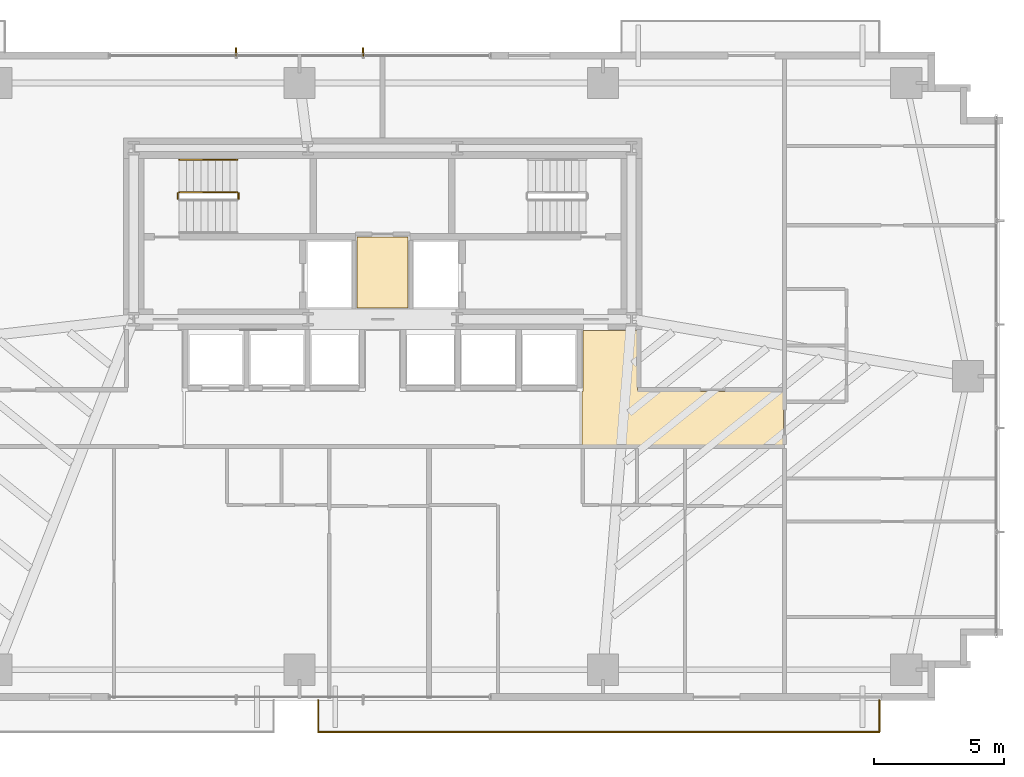
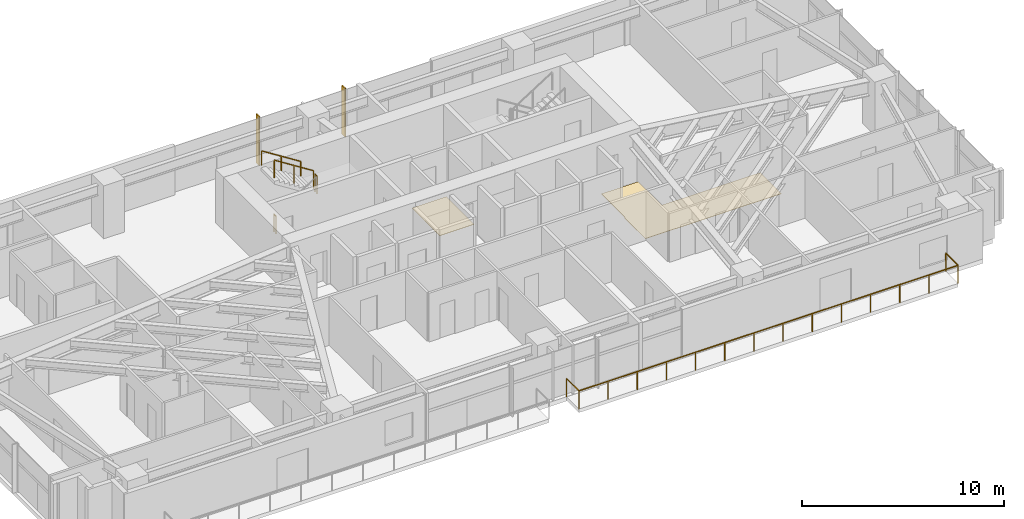
# One storey, part 24 of 25: 5 railings, 2 coverings, 2 shading devices.
"""IFC4 building model written with IfcOpenShell, lengths in metres."""

from ifc_helpers import new_model, si_unit, direction, frame, origin, origin_2d, place, context, subcontext, project, spatial, polyline, rectangle, outline, extrude, source, transform, mapped, material, layer, layer_set, type_object, type_shapes, element, save


model = new_model("IFC4")

# Units and contexts
model_context = context("Model", 3, precision=1e-05, world=origin(), true_north=direction((0.0, 1.0)))
body_context = subcontext(model_context, "Body", "Model", "MODEL_VIEW")
ifc_project = project(units=[si_unit("LENGTHUNIT", "METRE"), si_unit("AREAUNIT", "SQUARE_METRE"), si_unit("VOLUMEUNIT", "CUBIC_METRE"), si_unit("PLANEANGLEUNIT", "RADIAN"), si_unit("MASSUNIT", "GRAM", prefix="KILO")], contexts=[model_context])

# Site, building, storey
site_placement = place(None, origin())
site = spatial("IfcSite", under=ifc_project, at=site_placement, CompositionType="ELEMENT")
building_placement = place(site_placement, origin())
building = spatial("IfcBuilding", under=site, at=building_placement, Name="Astriad Promenade Condominiums", CompositionType="ELEMENT")
storey_placement = place(building_placement, frame((0.0, 0.0, 39.0)))
storey = spatial("IfcBuildingStorey", under=building, at=storey_placement, Name="L10", CompositionType="ELEMENT", Elevation=39.0)

# Coverings
ifc_material_1 = material(Name="Polished Lakefront Terrazzo Flooring")
ifc_layer = layer(ifc_material_1, 0.02001953125)
ifc_layer_set = layer_set([ifc_layer], Name="Polished Lakefront Terrazzo Flooring")
covering_type = type_object("IfcCoveringType", Name="COV-FLOR-TERRAZZO-20", PredefinedType="FLOORING", material=ifc_layer_set)
covering_1_placement = place(storey_placement, origin())
element("IfcCovering", 1, at=covering_1_placement, inside=storey, type_object=covering_type, Name="FLR-L10-CSL", PredefinedType="FLOORING", context=body_context, shape_type="SweptSolid", body=[
    extrude(outline(polyline([(36.97998046875, 17.840087890625), (35.02001953125, 17.840087890625), (35.02001953125, 20.580078125), (36.97998046875, 20.580078125), (36.97998046875, 17.840087890625)])), origin(), (0.0, 0.0, 1.0), 0.02001953125),
])
covering_2_placement = place(storey_placement, origin())
element("IfcCovering", 2, at=covering_2_placement, inside=storey, type_object=covering_type, Name="FLR-L10-COR-1", PredefinedType="FLOORING", context=body_context, shape_type="SweptSolid", body=[
    extrude(outline(polyline([(43.699951171875, 12.530029296875), (43.699951171875, 14.610107421875), (43.703857421875, 14.610107421875), (43.707763671875, 14.61083984375), (43.711669921875, 14.61181640625), (43.71533203125, 14.613037109375), (43.718994140625, 14.61474609375), (43.72216796875, 14.61669921875), (43.725341796875, 14.619140625), (43.728271484375, 14.62158203125), (43.73095703125, 14.62451171875), (43.7333984375, 14.627685546875), (43.7353515625, 14.631103515625), (43.737060546875, 14.634765625), (43.73828125, 14.638427734375), (43.7392578125, 14.64208984375), (43.73974609375, 14.64599609375), (43.739990234375, 14.64990234375), (43.739990234375, 16.9599609375), (45.840087890625, 16.9599609375), (45.840087890625, 14.659912109375), (45.840087890625, 14.656005859375), (45.8408203125, 14.652099609375), (45.841796875, 14.6484375), (45.843017578125, 14.644775390625), (45.8447265625, 14.64111328125), (45.8466796875, 14.6376953125), (45.84912109375, 14.634521484375), (45.851806640625, 14.631591796875), (45.8544921875, 14.629150390625), (45.85791015625, 14.626708984375), (45.861083984375, 14.624755859375), (45.86474609375, 14.623046875), (45.868408203125, 14.62158203125), (45.872314453125, 14.620849609375), (45.876220703125, 14.6201171875), (45.8798828125, 14.6201171875), (51.4599609375, 14.6201171875), (51.4599609375, 12.530029296875), (43.699951171875, 12.530029296875)])), origin(), (0.0, 0.0, 1.0), 0.02001953125),
])

# Shading devices
ifc_material_2 = material(Name="Anodised aluminium 6063-T6 Black Fin", Category="aluminium")
shading_device_type = type_object("IfcShadingDeviceType", Name="FIN-BLACK-320", PredefinedType="USERDEFINED", material=ifc_material_2)
shared_shape_1 = source(origin(), body_context, "Body", "SweptSolid", [
    extrude(rectangle(XDim=0.06494140625, YDim=0.320068359375, at=origin_2d()), origin(), (0.0, 0.0, 1.0), 2.93994140625),
])
type_shapes(shading_device_type, [shared_shape_1])
for number, where, z_axis, x_axis, name in (
    (3, (30.35009765625, 27.7099609375, 0.0), (0.0, 0.0, 1.0), (1.0, 0.0, 0.0), "CW-L10-N-FIN-01"),
    (4, (35.25, 27.7099609375, 0.0), (0.0, 0.0, 1.0), (1.0, 0.0, 0.0), "CW-L10-N-FIN-02"),
):
    element("IfcShadingDevice", number, at=place(storey_placement, frame(where, z_axis=z_axis, x_axis=x_axis)), inside=storey, type_object=shading_device_type, Name=name, ObjectType="FIN", PredefinedType="USERDEFINED", context=body_context, shape_type="MappedRepresentation", body=[
        mapped(shared_shape_1, transform((0.0, 0.0, 0.0), scale=1.0)),
    ])

# Railings
ifc_material_3 = material(Name="Laminated Glass and Stainless Steel Balustrade", Category="steel")
railing_type_1 = type_object("IfcRailingType", Name="GRD-BALC-1120", PredefinedType="BALUSTRADE", material=ifc_material_3)
shared_shape_2 = source(origin(), body_context, "Body", "SweptSolid", [
    extrude(rectangle(XDim=0.048095703125, YDim=0.048095703125, at=origin_2d()), frame((0.0, 0.0, 1.09619140625), z_axis=(0.0, -1.0, 0.0), x_axis=(1.0, 0.0, 0.0)), (0.0, 0.0, 1.0), 1.219970703125),
    extrude(rectangle(XDim=0.048095703125, YDim=0.048095703125, at=origin_2d()), frame((0.0, -1.219970703125, 1.09619140625), z_axis=(1.0, 0.0, 0.0), x_axis=(0.0, 1.0, 0.0)), (0.0, 0.0, 1.0), 21.64208984375),
    extrude(rectangle(XDim=0.048095703125, YDim=0.048095703125, at=origin_2d()), frame((21.64208984375, -1.219970703125, 1.09619140625), z_axis=(0.0, 1.0, 0.0), x_axis=(-1.0, 0.0, 0.0)), (0.0, 0.0, 1.0), 1.219970703125),
    extrude(rectangle(XDim=0.0419921875, YDim=0.0419921875, at=origin_2d()), origin(), (0.0, 0.0, 1.0), 1.072021484375),
    extrude(rectangle(XDim=0.0419921875, YDim=0.0419921875, at=origin_2d()), frame((0.0, -1.219970703125, 0.0)), (0.0, 0.0, 1.0), 1.072021484375),
    extrude(rectangle(XDim=0.0419921875, YDim=0.0419921875, at=origin_2d()), frame((1.664794921875, -1.219970703125, 0.0)), (0.0, 0.0, 1.0), 1.072021484375),
    extrude(rectangle(XDim=0.0419921875, YDim=0.0419921875, at=origin_2d()), frame((3.32958984375, -1.219970703125, 0.0)), (0.0, 0.0, 1.0), 1.072021484375),
    extrude(rectangle(XDim=0.0419921875, YDim=0.0419921875, at=origin_2d()), frame((4.994384765625, -1.219970703125, 0.0)), (0.0, 0.0, 1.0), 1.072021484375),
    extrude(rectangle(XDim=0.0419921875, YDim=0.0419921875, at=origin_2d()), frame((6.6591796875, -1.219970703125, 0.0)), (0.0, 0.0, 1.0), 1.072021484375),
    extrude(rectangle(XDim=0.0419921875, YDim=0.0419921875, at=origin_2d()), frame((8.323974609375, -1.219970703125, 0.0)), (0.0, 0.0, 1.0), 1.072021484375),
    extrude(rectangle(XDim=0.0419921875, YDim=0.0419921875, at=origin_2d()), frame((9.98876953125, -1.219970703125, 0.0)), (0.0, 0.0, 1.0), 1.072021484375),
    extrude(rectangle(XDim=0.0419921875, YDim=0.0419921875, at=origin_2d()), frame((11.6533203125, -1.219970703125, 0.0)), (0.0, 0.0, 1.0), 1.072021484375),
    extrude(rectangle(XDim=0.0419921875, YDim=0.0419921875, at=origin_2d()), frame((13.318115234375, -1.219970703125, 0.0)), (0.0, 0.0, 1.0), 1.072021484375),
    extrude(rectangle(XDim=0.0419921875, YDim=0.0419921875, at=origin_2d()), frame((14.98291015625, -1.219970703125, 0.0)), (0.0, 0.0, 1.0), 1.072021484375),
    extrude(rectangle(XDim=0.0419921875, YDim=0.0419921875, at=origin_2d()), frame((16.647705078125, -1.219970703125, 0.0)), (0.0, 0.0, 1.0), 1.072021484375),
    extrude(rectangle(XDim=0.0419921875, YDim=0.0419921875, at=origin_2d()), frame((18.3125, -1.219970703125, 0.0)), (0.0, 0.0, 1.0), 1.072021484375),
    extrude(rectangle(XDim=0.0419921875, YDim=0.0419921875, at=origin_2d()), frame((19.977294921875, -1.219970703125, 0.0)), (0.0, 0.0, 1.0), 1.072021484375),
    extrude(rectangle(XDim=0.0419921875, YDim=0.0419921875, at=origin_2d()), frame((21.64208984375, -1.219970703125, 0.0)), (0.0, 0.0, 1.0), 1.072021484375),
    extrude(rectangle(XDim=0.0419921875, YDim=0.0419921875, at=origin_2d()), frame((21.64208984375, 0.0, 0.0)), (0.0, 0.0, 1.0), 1.072021484375),
])
type_shapes(railing_type_1, [shared_shape_2])
railing_1_placement = place(storey_placement, frame((33.52197265625, 2.699951171875, 0.0)))
element("IfcRailing", 5, at=railing_1_placement, inside=storey, type_object=railing_type_1, Name="GRD-BALC-L10-SE", PredefinedType="BALUSTRADE", context=body_context, shape_type="MappedRepresentation", body=[
    mapped(shared_shape_2, transform((0.0, 0.0, 0.0), scale=1.0)),
])
ifc_material_4 = material(Name="Painted Galvanised Steel Guardrail", Category="steel")
railing_type_2 = type_object("IfcRailingType", Name="GRD-STAIR-1100", PredefinedType="GUARDRAIL", material=ifc_material_4)
shared_shape_3 = source(origin(), body_context, "Body", "SweptSolid", [
    extrude(rectangle(XDim=0.048095703125, YDim=0.048095703125, at=origin_2d()), frame((0.0, 0.0, 1.076171875), z_axis=(0.0, 1.0, 0.0), x_axis=(-1.0, 0.0, 0.0)), (0.0, 0.0, 1.0), 0.199951171875),
    extrude(rectangle(XDim=0.0419921875, YDim=0.0419921875, at=origin_2d()), origin(), (0.0, 0.0, 1.0), 1.052001953125),
    extrude(rectangle(XDim=0.0419921875, YDim=0.0419921875, at=origin_2d()), frame((0.0, 0.199951171875, 0.0)), (0.0, 0.0, 1.0), 1.052001953125),
])
for number, where, name in (
    (6, (30.43994140625, 22.050048828125, 1.60009765625), "L10 ST-1 stair guard 2"),
    (7, (28.10009765625, 22.050048828125, 0.0), "L10 ST-1 stair guard 4"),
):
    element("IfcRailing", number, at=place(storey_placement, frame(where)), inside=storey, type_object=railing_type_2, Name=name, PredefinedType="GUARDRAIL", context=body_context, shape_type="MappedRepresentation", body=[
        mapped(shared_shape_3, transform((0.0, 0.0, 0.0), scale=1.0)),
    ])
shared_shape_4 = source(origin(), body_context, "Body", "SweptSolid", [
    extrude(rectangle(XDim=0.048095703125, YDim=0.048095703125, at=origin_2d()), frame((0.0, 0.0, 1.076171875), z_axis=(-0.8442293374, 0.0, 0.53598211339), x_axis=(0.0, -1.0, 0.0)), (0.0, 0.0, 1.0), 2.6533203125),
    extrude(rectangle(XDim=0.0419921875, YDim=0.0419921875, at=origin_2d()), origin(), (0.0, 0.0, 1.0), 1.052001953125),
    extrude(rectangle(XDim=0.0419921875, YDim=0.0419921875, at=origin_2d()), frame((-1.1201171875, 0.0, 0.7109375)), (0.0, 0.0, 1.0), 1.052001953125),
    extrude(rectangle(XDim=0.0419921875, YDim=0.0419921875, at=origin_2d()), frame((-2.239990234375, 0.0, 1.422119140625)), (0.0, 0.0, 1.0), 1.052001953125),
])
type_shapes(railing_type_2, [shared_shape_3, shared_shape_4])
railing_2_placement = place(storey_placement, frame((30.389892578125, 22.300048828125, 1.77783203125)))
element("IfcRailing", 8, at=railing_2_placement, inside=storey, type_object=railing_type_2, Name="L10 ST-1 stair guard 3", PredefinedType="GUARDRAIL", context=body_context, shape_type="MappedRepresentation", body=[
    mapped(shared_shape_4, transform((0.0, 0.0, 0.0), scale=1.0)),
])
ifc_material_5 = material(Name="Brushed Stainless Steel Handrail", Category="steel")
railing_type_3 = type_object("IfcRailingType", Name="HRL-STAIR-920", PredefinedType="HANDRAIL", material=ifc_material_5)
shared_shape_5 = source(origin(), body_context, "Body", "SweptSolid", [
    extrude(rectangle(XDim=0.048095703125, YDim=0.048095703125, at=origin_2d()), frame((0.0, 0.0, 0.8759765625), z_axis=(-0.8442293374, 0.0, 0.53598211339), x_axis=(0.0, -1.0, 0.0)), (0.0, 0.0, 1.0), 2.6533203125),
    extrude(rectangle(XDim=0.0419921875, YDim=0.0419921875, at=origin_2d()), origin(), (0.0, 0.0, 1.0), 0.851806640625),
    extrude(rectangle(XDim=0.0419921875, YDim=0.0419921875, at=origin_2d()), frame((-1.1201171875, 0.0, 0.7109375)), (0.0, 0.0, 1.0), 0.851806640625),
    extrude(rectangle(XDim=0.0419921875, YDim=0.0419921875, at=origin_2d()), frame((-2.239990234375, 0.0, 1.422119140625)), (0.0, 0.0, 1.0), 0.851806640625),
])
type_shapes(railing_type_3, [shared_shape_5])
railing_3_placement = place(storey_placement, frame((30.389892578125, 23.550048828125, 1.77783203125)))
element("IfcRailing", 9, at=railing_3_placement, inside=storey, type_object=railing_type_3, Name="L10 ST-1 stair handrail 2", PredefinedType="HANDRAIL", context=body_context, shape_type="MappedRepresentation", body=[
    mapped(shared_shape_5, transform((0.0, 0.0, 0.0), scale=1.0)),
])

save(model, "model.ifc")
